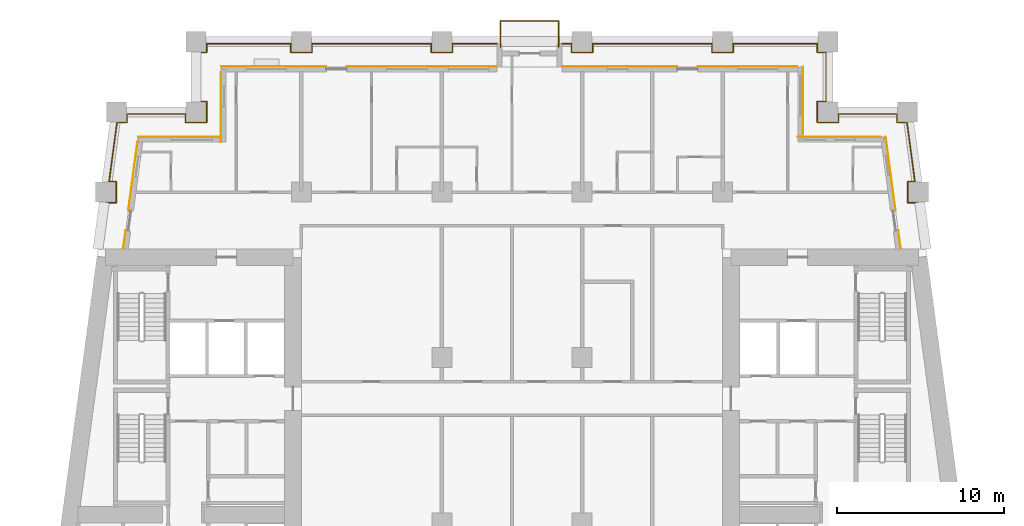
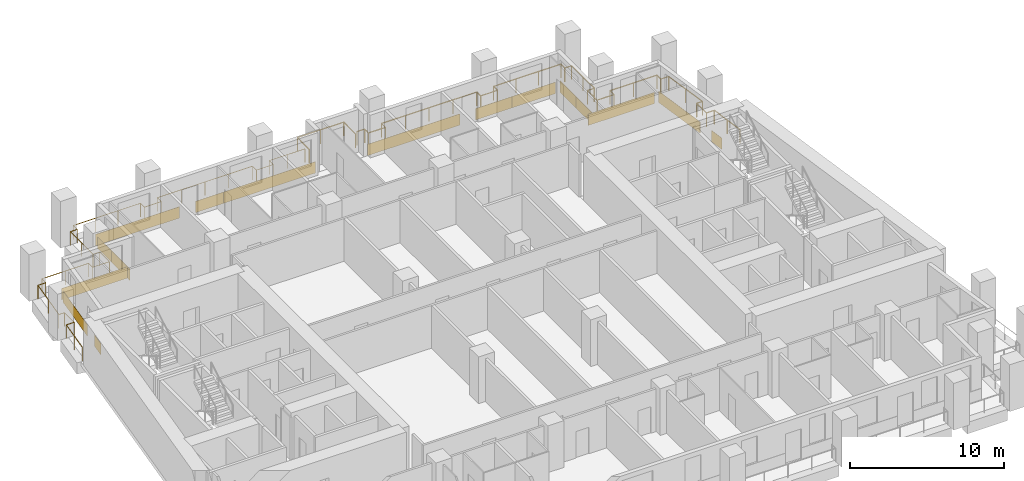
# One storey, part 12 of 13: 16 coverings, 3 railings.
"""IFC4 building model written with IfcOpenShell, lengths in metres."""

from ifc_helpers import new_model, si_unit, direction, frame, origin, origin_2d, place, context, subcontext, project, spatial, rectangle, circle, extrude, material, layer, layer_set, type_object, element, save


model = new_model("IFC4")

# Units and contexts
model_context = context("Model", 3, precision=1e-05, world=origin(), true_north=direction((0.0, 1.0)))
body_context = subcontext(model_context, "Body", "Model", "MODEL_VIEW")
ifc_project = project(units=[si_unit("LENGTHUNIT", "METRE"), si_unit("AREAUNIT", "SQUARE_METRE"), si_unit("VOLUMEUNIT", "CUBIC_METRE"), si_unit("PLANEANGLEUNIT", "RADIAN"), si_unit("MASSUNIT", "GRAM", prefix="KILO")], contexts=[model_context])

# Site, building, storey
site_placement = place(None, origin())
site = spatial("IfcSite", under=ifc_project, at=site_placement, CompositionType="ELEMENT")
building_placement = place(site_placement, origin())
building = spatial("IfcBuilding", under=site, at=building_placement, Name="Candeia Pilgrim Tower and Theatre", CompositionType="ELEMENT")
storey_placement = place(building_placement, frame((0.0, 0.0, 109.5)))
storey = spatial("IfcBuildingStorey", under=building, at=storey_placement, Name="L25", CompositionType="ELEMENT", Elevation=109.5)

# Railings
ifc_material_1 = material(Name="Stainless steel balustrade", Category="steel")
railing_type = type_object("IfcRailingType", Name="G1 loggia guard 1100", PredefinedType="GUARDRAIL", material=ifc_material_1)
railing_1_placement = place(storey_placement, frame((88.758544921875, 132.449951171875, 0.0)))
element("IfcRailing", 1, at=railing_1_placement, inside=storey, type_object=railing_type, Name="Guard L25.2", PredefinedType="GUARDRAIL", context=body_context, shape_type="SweptSolid", body=[
    extrude(circle(Radius=0.02392578125, at=origin_2d()), frame((0.0, 0.0, 1.076171875), z_axis=(0.133433855259, 0.991057720958, 0.0), x_axis=(-0.991057720958, 0.133433855259, 0.0)), (0.0, 0.0, 1.0), 2.74462890625),
    extrude(circle(Radius=0.02392578125, at=origin_2d()), frame((0.3662109375, 2.719970703125, 1.076171875), z_axis=(1.0, 0.0, 0.0), x_axis=(0.0, 1.0, 0.0)), (0.0, 0.0, 1.0), 0.59375),
    extrude(circle(Radius=0.02392578125, at=origin_2d()), frame((0.9599609375, 2.719970703125, 1.076171875), z_axis=(0.0, 1.0, 0.0), x_axis=(-1.0, 0.0, 0.0)), (0.0, 0.0, 1.0), 1.260009765625),
    extrude(circle(Radius=0.02392578125, at=origin_2d()), frame((0.9599609375, 3.97998046875, 1.076171875), z_axis=(-1.0, 0.0, 0.0), x_axis=(0.0, -1.0, 0.0)), (0.0, 0.0, 1.0), 0.424072265625),
    extrude(circle(Radius=0.02392578125, at=origin_2d()), frame((0.535888671875, 3.97998046875, 1.076171875), z_axis=(0.133417176173, 0.991059966451, 0.0), x_axis=(-0.991059966451, 0.133417176173, 0.0)), (0.0, 0.0, 1.0), 3.572021484375),
    extrude(circle(Radius=0.02392578125, at=origin_2d()), frame((1.012451171875, 7.52001953125, 1.076171875), z_axis=(1.0, 0.0, 0.0), x_axis=(0.0, 1.0, 0.0)), (0.0, 0.0, 1.0), 0.593505859375),
    extrude(circle(Radius=0.02392578125, at=origin_2d()), frame((1.60595703125, 7.52001953125, 1.076171875), z_axis=(0.0, 1.0, 0.0), x_axis=(-1.0, 0.0, 0.0)), (0.0, 0.0, 1.0), 0.510009765625),
    extrude(circle(Radius=0.02392578125, at=origin_2d()), frame((1.60595703125, 8.030029296875, 1.076171875), z_axis=(1.0, 0.0, 0.0), x_axis=(0.0, 1.0, 0.0)), (0.0, 0.0, 1.0), 3.505615234375),
    extrude(circle(Radius=0.02392578125, at=origin_2d()), frame((5.111572265625, 8.030029296875, 1.076171875), z_axis=(0.0, -1.0, 0.0), x_axis=(1.0, 0.0, 0.0)), (0.0, 0.0, 1.0), 0.510009765625),
    extrude(circle(Radius=0.02392578125, at=origin_2d()), frame((5.111572265625, 7.52001953125, 1.076171875), z_axis=(1.0, 0.0, 0.0), x_axis=(0.0, 1.0, 0.0)), (0.0, 0.0, 1.0), 1.259765625),
    extrude(circle(Radius=0.02392578125, at=origin_2d()), frame((6.371337890625, 7.52001953125, 1.076171875), z_axis=(0.0, 1.0, 0.0), x_axis=(-1.0, 0.0, 0.0)), (0.0, 0.0, 1.0), 1.260009765625),
    extrude(circle(Radius=0.02392578125, at=origin_2d()), frame((6.371337890625, 8.780029296875, 1.076171875), z_axis=(-1.0, 0.0, 0.0), x_axis=(0.0, -1.0, 0.0)), (0.0, 0.0, 1.0), 0.509765625),
    extrude(circle(Radius=0.02392578125, at=origin_2d()), frame((5.861572265625, 8.780029296875, 1.076171875), z_axis=(0.0, 1.0, 0.0), x_axis=(-1.0, 0.0, 0.0)), (0.0, 0.0, 1.0), 2.93994140625),
    extrude(circle(Radius=0.02392578125, at=origin_2d()), frame((5.861572265625, 11.719970703125, 1.076171875), z_axis=(1.0, 0.0, 0.0), x_axis=(0.0, 1.0, 0.0)), (0.0, 0.0, 1.0), 0.509765625),
    extrude(circle(Radius=0.02392578125, at=origin_2d()), frame((6.371337890625, 11.719970703125, 1.076171875), z_axis=(0.0, 1.0, 0.0), x_axis=(-1.0, 0.0, 0.0)), (0.0, 0.0, 1.0), 0.510009765625),
    extrude(circle(Radius=0.02392578125, at=origin_2d()), frame((6.371337890625, 12.22998046875, 1.076171875), z_axis=(1.0, 0.0, 0.0), x_axis=(0.0, 1.0, 0.0)), (0.0, 0.0, 1.0), 5.0400390625),
    extrude(circle(Radius=0.02392578125, at=origin_2d()), frame((11.411376953125, 12.22998046875, 1.076171875), z_axis=(0.0, -1.0, 0.0), x_axis=(1.0, 0.0, 0.0)), (0.0, 0.0, 1.0), 0.510009765625),
    extrude(circle(Radius=0.02392578125, at=origin_2d()), frame((11.411376953125, 11.719970703125, 1.076171875), z_axis=(1.0, 0.0, 0.0), x_axis=(0.0, 1.0, 0.0)), (0.0, 0.0, 1.0), 1.260009765625),
    extrude(circle(Radius=0.02392578125, at=origin_2d()), frame((12.67138671875, 11.719970703125, 1.076171875), z_axis=(0.0, 1.0, 0.0), x_axis=(-1.0, 0.0, 0.0)), (0.0, 0.0, 1.0), 0.510009765625),
    extrude(circle(Radius=0.02392578125, at=origin_2d()), frame((12.67138671875, 12.22998046875, 1.076171875), z_axis=(1.0, 0.0, 0.0), x_axis=(0.0, 1.0, 0.0)), (0.0, 0.0, 1.0), 7.14013671875),
    extrude(circle(Radius=0.02392578125, at=origin_2d()), frame((19.8115234375, 12.22998046875, 1.076171875), z_axis=(0.0, -1.0, 0.0), x_axis=(1.0, 0.0, 0.0)), (0.0, 0.0, 1.0), 0.510009765625),
    extrude(circle(Radius=0.02392578125, at=origin_2d()), frame((19.8115234375, 11.719970703125, 1.076171875), z_axis=(1.0, 0.0, 0.0), x_axis=(0.0, 1.0, 0.0)), (0.0, 0.0, 1.0), 1.260009765625),
    extrude(circle(Radius=0.02392578125, at=origin_2d()), frame((21.071533203125, 11.719970703125, 1.076171875), z_axis=(0.0, 1.0, 0.0), x_axis=(-1.0, 0.0, 0.0)), (0.0, 0.0, 1.0), 0.510009765625),
    extrude(circle(Radius=0.02392578125, at=origin_2d()), frame((21.071533203125, 12.22998046875, 1.076171875), z_axis=(1.0, 0.0, 0.0), x_axis=(0.0, 1.0, 0.0)), (0.0, 0.0, 1.0), 2.669921875),
    extrude(circle(Radius=0.02099609375, at=origin_2d()), origin(), (0.0, 0.0, 1.0), 1.052001953125),
    extrude(circle(Radius=0.02099609375, at=origin_2d()), frame((0.18310546875, 1.35986328125, 0.0)), (0.0, 0.0, 1.0), 1.052001953125),
    extrude(circle(Radius=0.02099609375, at=origin_2d()), frame((0.3662109375, 2.719970703125, 0.0)), (0.0, 0.0, 1.0), 1.052001953125),
    extrude(circle(Radius=0.02099609375, at=origin_2d()), frame((0.9599609375, 2.719970703125, 0.0)), (0.0, 0.0, 1.0), 1.052001953125),
    extrude(circle(Radius=0.02099609375, at=origin_2d()), frame((0.9599609375, 3.97998046875, 0.0)), (0.0, 0.0, 1.0), 1.052001953125),
    extrude(circle(Radius=0.02099609375, at=origin_2d()), frame((0.535888671875, 3.97998046875, 0.0)), (0.0, 0.0, 1.0), 1.052001953125),
    extrude(circle(Radius=0.02099609375, at=origin_2d()), frame((0.774169921875, 5.75, 0.0)), (0.0, 0.0, 1.0), 1.052001953125),
    extrude(circle(Radius=0.02099609375, at=origin_2d()), frame((1.012451171875, 7.52001953125, 0.0)), (0.0, 0.0, 1.0), 1.052001953125),
    extrude(circle(Radius=0.02099609375, at=origin_2d()), frame((1.60595703125, 7.52001953125, 0.0)), (0.0, 0.0, 1.0), 1.052001953125),
    extrude(circle(Radius=0.02099609375, at=origin_2d()), frame((1.60595703125, 8.030029296875, 0.0)), (0.0, 0.0, 1.0), 1.052001953125),
    extrude(circle(Radius=0.02099609375, at=origin_2d()), frame((3.35888671875, 8.030029296875, 0.0)), (0.0, 0.0, 1.0), 1.052001953125),
    extrude(circle(Radius=0.02099609375, at=origin_2d()), frame((5.111572265625, 8.030029296875, 0.0)), (0.0, 0.0, 1.0), 1.052001953125),
    extrude(circle(Radius=0.02099609375, at=origin_2d()), frame((5.111572265625, 7.52001953125, 0.0)), (0.0, 0.0, 1.0), 1.052001953125),
    extrude(circle(Radius=0.02099609375, at=origin_2d()), frame((6.371337890625, 7.52001953125, 0.0)), (0.0, 0.0, 1.0), 1.052001953125),
    extrude(circle(Radius=0.02099609375, at=origin_2d()), frame((6.371337890625, 8.780029296875, 0.0)), (0.0, 0.0, 1.0), 1.052001953125),
    extrude(circle(Radius=0.02099609375, at=origin_2d()), frame((5.861572265625, 8.780029296875, 0.0)), (0.0, 0.0, 1.0), 1.052001953125),
    extrude(circle(Radius=0.02099609375, at=origin_2d()), frame((5.861572265625, 10.25, 0.0)), (0.0, 0.0, 1.0), 1.052001953125),
    extrude(circle(Radius=0.02099609375, at=origin_2d()), frame((5.861572265625, 11.719970703125, 0.0)), (0.0, 0.0, 1.0), 1.052001953125),
    extrude(circle(Radius=0.02099609375, at=origin_2d()), frame((6.371337890625, 11.719970703125, 0.0)), (0.0, 0.0, 1.0), 1.052001953125),
    extrude(circle(Radius=0.02099609375, at=origin_2d()), frame((6.371337890625, 12.22998046875, 0.0)), (0.0, 0.0, 1.0), 1.052001953125),
    extrude(circle(Radius=0.02099609375, at=origin_2d()), frame((8.05126953125, 12.22998046875, 0.0)), (0.0, 0.0, 1.0), 1.052001953125),
    extrude(circle(Radius=0.02099609375, at=origin_2d()), frame((9.7314453125, 12.22998046875, 0.0)), (0.0, 0.0, 1.0), 1.052001953125),
    extrude(circle(Radius=0.02099609375, at=origin_2d()), frame((11.411376953125, 12.22998046875, 0.0)), (0.0, 0.0, 1.0), 1.052001953125),
    extrude(circle(Radius=0.02099609375, at=origin_2d()), frame((11.411376953125, 11.719970703125, 0.0)), (0.0, 0.0, 1.0), 1.052001953125),
    extrude(circle(Radius=0.02099609375, at=origin_2d()), frame((12.67138671875, 11.719970703125, 0.0)), (0.0, 0.0, 1.0), 1.052001953125),
    extrude(circle(Radius=0.02099609375, at=origin_2d()), frame((12.67138671875, 12.22998046875, 0.0)), (0.0, 0.0, 1.0), 1.052001953125),
    extrude(circle(Radius=0.02099609375, at=origin_2d()), frame((14.45654296875, 12.22998046875, 0.0)), (0.0, 0.0, 1.0), 1.052001953125),
    extrude(circle(Radius=0.02099609375, at=origin_2d()), frame((16.241455078125, 12.22998046875, 0.0)), (0.0, 0.0, 1.0), 1.052001953125),
    extrude(circle(Radius=0.02099609375, at=origin_2d()), frame((18.0263671875, 12.22998046875, 0.0)), (0.0, 0.0, 1.0), 1.052001953125),
    extrude(circle(Radius=0.02099609375, at=origin_2d()), frame((19.8115234375, 12.22998046875, 0.0)), (0.0, 0.0, 1.0), 1.052001953125),
    extrude(circle(Radius=0.02099609375, at=origin_2d()), frame((19.8115234375, 11.719970703125, 0.0)), (0.0, 0.0, 1.0), 1.052001953125),
    extrude(circle(Radius=0.02099609375, at=origin_2d()), frame((21.071533203125, 11.719970703125, 0.0)), (0.0, 0.0, 1.0), 1.052001953125),
    extrude(circle(Radius=0.02099609375, at=origin_2d()), frame((21.071533203125, 12.22998046875, 0.0)), (0.0, 0.0, 1.0), 1.052001953125),
    extrude(circle(Radius=0.02099609375, at=origin_2d()), frame((22.406494140625, 12.22998046875, 0.0)), (0.0, 0.0, 1.0), 1.052001953125),
    extrude(circle(Radius=0.02099609375, at=origin_2d()), frame((23.741455078125, 12.22998046875, 0.0)), (0.0, 0.0, 1.0), 1.052001953125),
])
railing_2_placement = place(storey_placement, frame((116.39990234375, 144.679931640625, 0.0)))
element("IfcRailing", 2, at=railing_2_placement, inside=storey, type_object=railing_type, Name="Guard L25.3", PredefinedType="GUARDRAIL", context=body_context, shape_type="SweptSolid", body=[
    extrude(circle(Radius=0.02392578125, at=origin_2d()), frame((0.0, 0.0, 1.076171875), z_axis=(1.0, 0.0, 0.0), x_axis=(0.0, 1.0, 0.0)), (0.0, 0.0, 1.0), 0.570068359375),
    extrude(circle(Radius=0.02392578125, at=origin_2d()), frame((0.570068359375, 0.0, 1.076171875), z_axis=(0.0, -1.0, 0.0), x_axis=(1.0, 0.0, 0.0)), (0.0, 0.0, 1.0), 0.510009765625),
    extrude(circle(Radius=0.02392578125, at=origin_2d()), frame((0.570068359375, -0.510009765625, 1.076171875), z_axis=(1.0, 0.0, 0.0), x_axis=(0.0, 1.0, 0.0)), (0.0, 0.0, 1.0), 1.260009765625),
    extrude(circle(Radius=0.02392578125, at=origin_2d()), frame((1.830078125, -0.510009765625, 1.076171875), z_axis=(0.0, 1.0, 0.0), x_axis=(-1.0, 0.0, 0.0)), (0.0, 0.0, 1.0), 0.510009765625),
    extrude(circle(Radius=0.02392578125, at=origin_2d()), frame((1.830078125, 0.0, 1.076171875), z_axis=(1.0, 0.0, 0.0), x_axis=(0.0, 1.0, 0.0)), (0.0, 0.0, 1.0), 7.14013671875),
    extrude(circle(Radius=0.02392578125, at=origin_2d()), frame((8.97021484375, 0.0, 1.076171875), z_axis=(0.0, -1.0, 0.0), x_axis=(1.0, 0.0, 0.0)), (0.0, 0.0, 1.0), 0.510009765625),
    extrude(circle(Radius=0.02392578125, at=origin_2d()), frame((8.97021484375, -0.510009765625, 1.076171875), z_axis=(1.0, 0.0, 0.0), x_axis=(0.0, 1.0, 0.0)), (0.0, 0.0, 1.0), 1.259765625),
    extrude(circle(Radius=0.02392578125, at=origin_2d()), frame((10.22998046875, -0.510009765625, 1.076171875), z_axis=(0.0, 1.0, 0.0), x_axis=(-1.0, 0.0, 0.0)), (0.0, 0.0, 1.0), 0.510009765625),
    extrude(circle(Radius=0.02392578125, at=origin_2d()), frame((10.22998046875, 0.0, 1.076171875), z_axis=(1.0, 0.0, 0.0), x_axis=(0.0, 1.0, 0.0)), (0.0, 0.0, 1.0), 5.0400390625),
    extrude(circle(Radius=0.02392578125, at=origin_2d()), frame((15.27001953125, 0.0, 1.076171875), z_axis=(0.0, -1.0, 0.0), x_axis=(1.0, 0.0, 0.0)), (0.0, 0.0, 1.0), 0.510009765625),
    extrude(circle(Radius=0.02392578125, at=origin_2d()), frame((15.27001953125, -0.510009765625, 1.076171875), z_axis=(1.0, 0.0, 0.0), x_axis=(0.0, 1.0, 0.0)), (0.0, 0.0, 1.0), 0.510009765625),
    extrude(circle(Radius=0.02392578125, at=origin_2d()), frame((15.780029296875, -0.510009765625, 1.076171875), z_axis=(0.0, -1.0, 0.0), x_axis=(1.0, 0.0, 0.0)), (0.0, 0.0, 1.0), 2.93994140625),
    extrude(circle(Radius=0.02392578125, at=origin_2d()), frame((15.780029296875, -3.449951171875, 1.076171875), z_axis=(-1.0, 0.0, 0.0), x_axis=(0.0, -1.0, 0.0)), (0.0, 0.0, 1.0), 0.510009765625),
    extrude(circle(Radius=0.02392578125, at=origin_2d()), frame((15.27001953125, -3.449951171875, 1.076171875), z_axis=(0.0, -1.0, 0.0), x_axis=(1.0, 0.0, 0.0)), (0.0, 0.0, 1.0), 1.260009765625),
    extrude(circle(Radius=0.02392578125, at=origin_2d()), frame((15.27001953125, -4.7099609375, 1.076171875), z_axis=(1.0, 0.0, 0.0), x_axis=(0.0, 1.0, 0.0)), (0.0, 0.0, 1.0), 1.260009765625),
    extrude(circle(Radius=0.02392578125, at=origin_2d()), frame((16.530029296875, -4.7099609375, 1.076171875), z_axis=(0.0, 1.0, 0.0), x_axis=(-1.0, 0.0, 0.0)), (0.0, 0.0, 1.0), 0.510009765625),
    extrude(circle(Radius=0.02392578125, at=origin_2d()), frame((16.530029296875, -4.199951171875, 1.076171875), z_axis=(1.0, 0.0, 0.0), x_axis=(0.0, 1.0, 0.0)), (0.0, 0.0, 1.0), 3.50537109375),
    extrude(circle(Radius=0.02392578125, at=origin_2d()), frame((20.035400390625, -4.199951171875, 1.076171875), z_axis=(0.0, -1.0, 0.0), x_axis=(1.0, 0.0, 0.0)), (0.0, 0.0, 1.0), 0.510009765625),
    extrude(circle(Radius=0.02392578125, at=origin_2d()), frame((20.035400390625, -4.7099609375, 1.076171875), z_axis=(1.0, 0.0, 0.0), x_axis=(0.0, 1.0, 0.0)), (0.0, 0.0, 1.0), 0.59375),
    extrude(circle(Radius=0.02392578125, at=origin_2d()), frame((20.629150390625, -4.7099609375, 1.076171875), z_axis=(0.133417176173, -0.991059966451, 0.0), x_axis=(0.991059966451, 0.133417176173, 0.0)), (0.0, 0.0, 1.0), 3.572021484375),
    extrude(circle(Radius=0.02392578125, at=origin_2d()), frame((21.105712890625, -8.25, 1.076171875), z_axis=(-1.0, 0.0, 0.0), x_axis=(0.0, -1.0, 0.0)), (0.0, 0.0, 1.0), 0.424072265625),
    extrude(circle(Radius=0.02392578125, at=origin_2d()), frame((20.681640625, -8.25, 1.076171875), z_axis=(0.0, -1.0, 0.0), x_axis=(1.0, 0.0, 0.0)), (0.0, 0.0, 1.0), 1.260009765625),
    extrude(circle(Radius=0.02392578125, at=origin_2d()), frame((20.681640625, -9.510009765625, 1.076171875), z_axis=(1.0, 0.0, 0.0), x_axis=(0.0, 1.0, 0.0)), (0.0, 0.0, 1.0), 0.59375),
    extrude(circle(Radius=0.02392578125, at=origin_2d()), frame((21.275390625, -9.510009765625, 1.076171875), z_axis=(0.133433855259, -0.991057720958, 0.0), x_axis=(0.991057720958, 0.133433855259, 0.0)), (0.0, 0.0, 1.0), 2.74462890625),
    extrude(circle(Radius=0.02099609375, at=origin_2d()), origin(), (0.0, 0.0, 1.0), 1.052001953125),
    extrude(circle(Radius=0.02099609375, at=origin_2d()), frame((0.570068359375, 0.0, 0.0)), (0.0, 0.0, 1.0), 1.052001953125),
    extrude(circle(Radius=0.02099609375, at=origin_2d()), frame((0.570068359375, -0.510009765625, 0.0)), (0.0, 0.0, 1.0), 1.052001953125),
    extrude(circle(Radius=0.02099609375, at=origin_2d()), frame((1.830078125, -0.510009765625, 0.0)), (0.0, 0.0, 1.0), 1.052001953125),
    extrude(circle(Radius=0.02099609375, at=origin_2d()), frame((1.830078125, 0.0, 0.0)), (0.0, 0.0, 1.0), 1.052001953125),
    extrude(circle(Radius=0.02099609375, at=origin_2d()), frame((3.615234375, 0.0, 0.0)), (0.0, 0.0, 1.0), 1.052001953125),
    extrude(circle(Radius=0.02099609375, at=origin_2d()), frame((5.400146484375, 0.0, 0.0)), (0.0, 0.0, 1.0), 1.052001953125),
    extrude(circle(Radius=0.02099609375, at=origin_2d()), frame((7.18505859375, 0.0, 0.0)), (0.0, 0.0, 1.0), 1.052001953125),
    extrude(circle(Radius=0.02099609375, at=origin_2d()), frame((8.97021484375, 0.0, 0.0)), (0.0, 0.0, 1.0), 1.052001953125),
    extrude(circle(Radius=0.02099609375, at=origin_2d()), frame((8.97021484375, -0.510009765625, 0.0)), (0.0, 0.0, 1.0), 1.052001953125),
    extrude(circle(Radius=0.02099609375, at=origin_2d()), frame((10.22998046875, -0.510009765625, 0.0)), (0.0, 0.0, 1.0), 1.052001953125),
    extrude(circle(Radius=0.02099609375, at=origin_2d()), frame((10.22998046875, 0.0, 0.0)), (0.0, 0.0, 1.0), 1.052001953125),
    extrude(circle(Radius=0.02099609375, at=origin_2d()), frame((11.909912109375, 0.0, 0.0)), (0.0, 0.0, 1.0), 1.052001953125),
    extrude(circle(Radius=0.02099609375, at=origin_2d()), frame((13.590087890625, 0.0, 0.0)), (0.0, 0.0, 1.0), 1.052001953125),
    extrude(circle(Radius=0.02099609375, at=origin_2d()), frame((15.27001953125, 0.0, 0.0)), (0.0, 0.0, 1.0), 1.052001953125),
    extrude(circle(Radius=0.02099609375, at=origin_2d()), frame((15.27001953125, -0.510009765625, 0.0)), (0.0, 0.0, 1.0), 1.052001953125),
    extrude(circle(Radius=0.02099609375, at=origin_2d()), frame((15.780029296875, -0.510009765625, 0.0)), (0.0, 0.0, 1.0), 1.052001953125),
    extrude(circle(Radius=0.02099609375, at=origin_2d()), frame((15.780029296875, -1.97998046875, 0.0)), (0.0, 0.0, 1.0), 1.052001953125),
    extrude(circle(Radius=0.02099609375, at=origin_2d()), frame((15.780029296875, -3.449951171875, 0.0)), (0.0, 0.0, 1.0), 1.052001953125),
    extrude(circle(Radius=0.02099609375, at=origin_2d()), frame((15.27001953125, -3.449951171875, 0.0)), (0.0, 0.0, 1.0), 1.052001953125),
    extrude(circle(Radius=0.02099609375, at=origin_2d()), frame((15.27001953125, -4.7099609375, 0.0)), (0.0, 0.0, 1.0), 1.052001953125),
    extrude(circle(Radius=0.02099609375, at=origin_2d()), frame((16.530029296875, -4.7099609375, 0.0)), (0.0, 0.0, 1.0), 1.052001953125),
    extrude(circle(Radius=0.02099609375, at=origin_2d()), frame((16.530029296875, -4.199951171875, 0.0)), (0.0, 0.0, 1.0), 1.052001953125),
    extrude(circle(Radius=0.02099609375, at=origin_2d()), frame((18.28271484375, -4.199951171875, 0.0)), (0.0, 0.0, 1.0), 1.052001953125),
    extrude(circle(Radius=0.02099609375, at=origin_2d()), frame((20.035400390625, -4.199951171875, 0.0)), (0.0, 0.0, 1.0), 1.052001953125),
    extrude(circle(Radius=0.02099609375, at=origin_2d()), frame((20.035400390625, -4.7099609375, 0.0)), (0.0, 0.0, 1.0), 1.052001953125),
    extrude(circle(Radius=0.02099609375, at=origin_2d()), frame((20.629150390625, -4.7099609375, 0.0)), (0.0, 0.0, 1.0), 1.052001953125),
    extrude(circle(Radius=0.02099609375, at=origin_2d()), frame((20.867431640625, -6.47998046875, 0.0)), (0.0, 0.0, 1.0), 1.052001953125),
    extrude(circle(Radius=0.02099609375, at=origin_2d()), frame((21.105712890625, -8.25, 0.0)), (0.0, 0.0, 1.0), 1.052001953125),
    extrude(circle(Radius=0.02099609375, at=origin_2d()), frame((20.681640625, -8.25, 0.0)), (0.0, 0.0, 1.0), 1.052001953125),
    extrude(circle(Radius=0.02099609375, at=origin_2d()), frame((20.681640625, -9.510009765625, 0.0)), (0.0, 0.0, 1.0), 1.052001953125),
    extrude(circle(Radius=0.02099609375, at=origin_2d()), frame((21.275390625, -9.510009765625, 0.0)), (0.0, 0.0, 1.0), 1.052001953125),
    extrude(circle(Radius=0.02099609375, at=origin_2d()), frame((21.45849609375, -10.8701171875, 0.0)), (0.0, 0.0, 1.0), 1.052001953125),
    extrude(circle(Radius=0.02099609375, at=origin_2d()), frame((21.6416015625, -12.22998046875, 0.0)), (0.0, 0.0, 1.0), 1.052001953125),
])
railing_3_placement = place(storey_placement, frame((112.7099609375, 144.5, 0.0)))
element("IfcRailing", 3, at=railing_3_placement, inside=storey, type_object=railing_type, Name="Balcony guard L25", PredefinedType="GUARDRAIL", context=body_context, shape_type="SweptSolid", body=[
    extrude(circle(Radius=0.02392578125, at=origin_2d()), frame((0.0, 0.0, 1.076171875), z_axis=(0.0, 1.0, 0.0), x_axis=(-1.0, 0.0, 0.0)), (0.0, 0.0, 1.0), 1.5400390625),
    extrude(circle(Radius=0.02392578125, at=origin_2d()), frame((0.0, 1.5400390625, 1.076171875), z_axis=(1.0, 0.0, 0.0), x_axis=(0.0, 1.0, 0.0)), (0.0, 0.0, 1.0), 3.47998046875),
    extrude(circle(Radius=0.02392578125, at=origin_2d()), frame((3.47998046875, 1.5400390625, 1.076171875), z_axis=(0.0, -1.0, 0.0), x_axis=(1.0, 0.0, 0.0)), (0.0, 0.0, 1.0), 1.5400390625),
    extrude(circle(Radius=0.02099609375, at=origin_2d()), origin(), (0.0, 0.0, 1.0), 1.052001953125),
    extrude(circle(Radius=0.02099609375, at=origin_2d()), frame((0.0, 1.5400390625, 0.0)), (0.0, 0.0, 1.0), 1.052001953125),
    extrude(circle(Radius=0.02099609375, at=origin_2d()), frame((1.739990234375, 1.5400390625, 0.0)), (0.0, 0.0, 1.0), 1.052001953125),
    extrude(circle(Radius=0.02099609375, at=origin_2d()), frame((3.47998046875, 1.5400390625, 0.0)), (0.0, 0.0, 1.0), 1.052001953125),
    extrude(circle(Radius=0.02099609375, at=origin_2d()), frame((3.47998046875, 0.0, 0.0)), (0.0, 0.0, 1.0), 1.052001953125),
])

# Coverings
ifc_material_2 = material(Name="Glazed ceramic tile red")
ifc_layer_1 = layer(ifc_material_2, 0.02001953125)
ifc_layer_set_1 = layer_set([ifc_layer_1], Name="Glazed ceramic tile red")
covering_type_1 = type_object("IfcCoveringType", Name="Glazed ceramic tile red", PredefinedType="CLADDING", material=ifc_layer_set_1)
covering_1_placement = place(storey_placement, frame((132.976318359375, 139.110107421875, 0.0), z_axis=(0.0, 0.0, 1.0), x_axis=(-1.0, 0.0, 0.0)))
element("IfcCovering", 4, at=covering_1_placement, inside=storey, type_object=covering_type_1, Name="Tile cladding red L25", PredefinedType="CLADDING", context=body_context, shape_type="SweptSolid", body=[
    extrude(rectangle(XDim=4.95263671875, YDim=0.02001953125, at=origin_2d()), origin(), (0.0, 0.0, 1.0), 0.89990234375),
])
covering_2_placement = place(storey_placement, frame((130.81005859375, 142.25, 0.0), z_axis=(0.0, 0.0, 1.0), x_axis=(0.0, 1.0, 0.0)))
element("IfcCovering", 5, at=covering_2_placement, inside=storey, type_object=covering_type_1, Name="Tile cladding red L25", PredefinedType="CLADDING", context=body_context, shape_type="SweptSolid", body=[
    extrude(rectangle(XDim=2.10009765625, YDim=0.02001953125, at=origin_2d()), origin(), (0.0, 0.0, 1.0), 0.89990234375),
])
covering_3_placement = place(storey_placement, frame((128.840087890625, 143.31005859375, 0.0), z_axis=(0.0, 0.0, 1.0), x_axis=(-1.0, 0.0, 0.0)))
element("IfcCovering", 6, at=covering_3_placement, inside=storey, type_object=covering_type_1, Name="Tile cladding red L25", PredefinedType="CLADDING", context=body_context, shape_type="SweptSolid", body=[
    extrude(rectangle(XDim=3.280029296875, YDim=0.02001953125, at=origin_2d()), origin(), (0.0, 0.0, 1.0), 0.89990234375),
])
covering_4_placement = place(storey_placement, frame((104.550048828125, 143.31005859375, 0.0), z_axis=(0.0, 0.0, 1.0), x_axis=(-1.0, 0.0, 0.0)))
element("IfcCovering", 7, at=covering_4_placement, inside=storey, type_object=covering_type_1, Name="Tile cladding red L25", PredefinedType="CLADDING", context=body_context, shape_type="SweptSolid", body=[
    extrude(rectangle(XDim=2.10009765625, YDim=0.02001953125, at=origin_2d()), origin(), (0.0, 0.0, 1.0), 0.89990234375),
])
covering_5_placement = place(storey_placement, frame((99.14990234375, 143.31005859375, 0.0), z_axis=(0.0, 0.0, 1.0), x_axis=(-1.0, 0.0, 0.0)))
element("IfcCovering", 8, at=covering_5_placement, inside=storey, type_object=covering_type_1, Name="Tile cladding red L25", PredefinedType="CLADDING", context=body_context, shape_type="SweptSolid", body=[
    extrude(rectangle(XDim=6.300048828125, YDim=0.02001953125, at=origin_2d()), origin(), (0.0, 0.0, 1.0), 0.89990234375),
])
covering_6_placement = place(storey_placement, frame((95.989990234375, 142.090087890625, 0.0), z_axis=(0.0, 0.0, 1.0), x_axis=(0.0, -1.0, 0.0)))
element("IfcCovering", 9, at=covering_6_placement, inside=storey, type_object=covering_type_1, Name="Tile cladding red L25", PredefinedType="CLADDING", context=body_context, shape_type="SweptSolid", body=[
    extrude(rectangle(XDim=1.780029296875, YDim=0.02001953125, at=origin_2d()), origin(), (0.0, 0.0, 1.0), 0.89990234375),
])
covering_7_placement = place(storey_placement, frame((93.51318359375, 139.110107421875, 0.0), z_axis=(0.0, 0.0, 1.0), x_axis=(-1.0, 0.0, 0.0)))
element("IfcCovering", 10, at=covering_7_placement, inside=storey, type_object=covering_type_1, Name="Tile cladding red L25", PredefinedType="CLADDING", context=body_context, shape_type="SweptSolid", body=[
    extrude(rectangle(XDim=4.933837890625, YDim=0.02001953125, at=origin_2d()), origin(), (0.0, 0.0, 1.0), 0.89990234375),
])
ifc_material_3 = material(Name="Glazed ceramic tile rust")
ifc_layer_2 = layer(ifc_material_3, 0.02001953125)
ifc_layer_set_2 = layer_set([ifc_layer_2], Name="Glazed ceramic tile rust")
covering_type_2 = type_object("IfcCoveringType", Name="Glazed ceramic tile rust", PredefinedType="CLADDING", material=ifc_layer_set_2)
covering_8_placement = place(storey_placement, frame((136.588623046875, 132.97412109375, 0.0), z_axis=(0.0, 0.0, 1.0), x_axis=(-0.133412012145, 0.991060661622, 0.0)))
element("IfcCovering", 11, at=covering_8_placement, inside=storey, type_object=covering_type_2, Name="Tile cladding rust L25", PredefinedType="CLADDING", context=body_context, shape_type="SweptSolid", body=[
    extrude(rectangle(XDim=1.115234375, YDim=0.02001953125, at=origin_2d()), origin(), (0.0, 0.0, 1.0), 0.89990234375),
])
covering_9_placement = place(storey_placement, frame((136.058837890625, 136.90869140625, 0.0), z_axis=(0.0, 0.0, 1.0), x_axis=(-0.133412012145, 0.991060661622, 0.0)))
element("IfcCovering", 12, at=covering_9_placement, inside=storey, type_object=covering_type_2, Name="Tile cladding rust L25", PredefinedType="CLADDING", context=body_context, shape_type="SweptSolid", body=[
    extrude(rectangle(XDim=4.4248046875, YDim=0.02001953125, at=origin_2d()), origin(), (0.0, 0.0, 1.0), 0.89990234375),
])
covering_10_placement = place(storey_placement, frame((130.81005859375, 140.159912109375, 0.0), z_axis=(0.0, 0.0, 1.0), x_axis=(0.0, 1.0, 0.0)))
element("IfcCovering", 13, at=covering_10_placement, inside=storey, type_object=covering_type_2, Name="Tile cladding rust L25", PredefinedType="CLADDING", context=body_context, shape_type="SweptSolid", body=[
    extrude(rectangle(XDim=2.080078125, YDim=0.02001953125, at=origin_2d()), origin(), (0.0, 0.0, 1.0), 0.89990234375),
])
covering_11_placement = place(storey_placement, frame((125.85009765625, 143.31005859375, 0.0), z_axis=(0.0, 0.0, 1.0), x_axis=(-1.0, 0.0, 0.0)))
element("IfcCovering", 14, at=covering_11_placement, inside=storey, type_object=covering_type_2, Name="Tile cladding rust L25", PredefinedType="CLADDING", context=body_context, shape_type="SweptSolid", body=[
    extrude(rectangle(XDim=2.699951171875, YDim=0.02001953125, at=origin_2d()), origin(), (0.0, 0.0, 1.0), 0.89990234375),
])
for number, where, z_axis, x_axis, name in (
    (15, (119.85009765625, 143.31005859375, 0.0), (0.0, 0.0, 1.0), (-1.0, 0.0, 0.0), "Tile cladding rust L25"),
    (16, (109.050048828125, 143.31005859375, 0.0), (0.0, 0.0, 1.0), (-1.0, 0.0, 0.0), "Tile cladding rust L25"),
):
    element("IfcCovering", number, at=place(storey_placement, frame(where, z_axis=z_axis, x_axis=x_axis)), inside=storey, type_object=covering_type_2, Name=name, PredefinedType="CLADDING", context=body_context, shape_type="SweptSolid", body=[
        extrude(rectangle(XDim=6.89990234375, YDim=0.02001953125, at=origin_2d()), origin(), (0.0, 0.0, 1.0), 0.89990234375),
    ])
covering_12_placement = place(storey_placement, frame((95.989990234375, 140.0, 0.0), z_axis=(0.0, 0.0, 1.0), x_axis=(0.0, -1.0, 0.0)))
element("IfcCovering", 17, at=covering_12_placement, inside=storey, type_object=covering_type_2, Name="Tile cladding rust L25", PredefinedType="CLADDING", context=body_context, shape_type="SweptSolid", body=[
    extrude(rectangle(XDim=2.39990234375, YDim=0.02001953125, at=origin_2d()), origin(), (0.0, 0.0, 1.0), 0.89990234375),
])
covering_13_placement = place(storey_placement, frame((90.720947265625, 136.759521484375, 0.0), z_axis=(0.0, 0.0, 1.0), x_axis=(-0.133412012145, -0.991060661622, 0.0)))
element("IfcCovering", 18, at=covering_13_placement, inside=storey, type_object=covering_type_2, Name="Tile cladding rust L25", PredefinedType="CLADDING", context=body_context, shape_type="SweptSolid", body=[
    extrude(rectangle(XDim=4.123779296875, YDim=0.02001953125, at=origin_2d()), origin(), (0.0, 0.0, 1.0), 0.89990234375),
])
covering_14_placement = place(storey_placement, frame((90.21142578125, 132.97412109375, 0.0), z_axis=(0.0, 0.0, 1.0), x_axis=(-0.133412012145, -0.991060661622, 0.0)))
element("IfcCovering", 19, at=covering_14_placement, inside=storey, type_object=covering_type_2, Name="Tile cladding rust L25", PredefinedType="CLADDING", context=body_context, shape_type="SweptSolid", body=[
    extrude(rectangle(XDim=1.115234375, YDim=0.02001953125, at=origin_2d()), origin(), (0.0, 0.0, 1.0), 0.89990234375),
])

save(model, "model.ifc")
